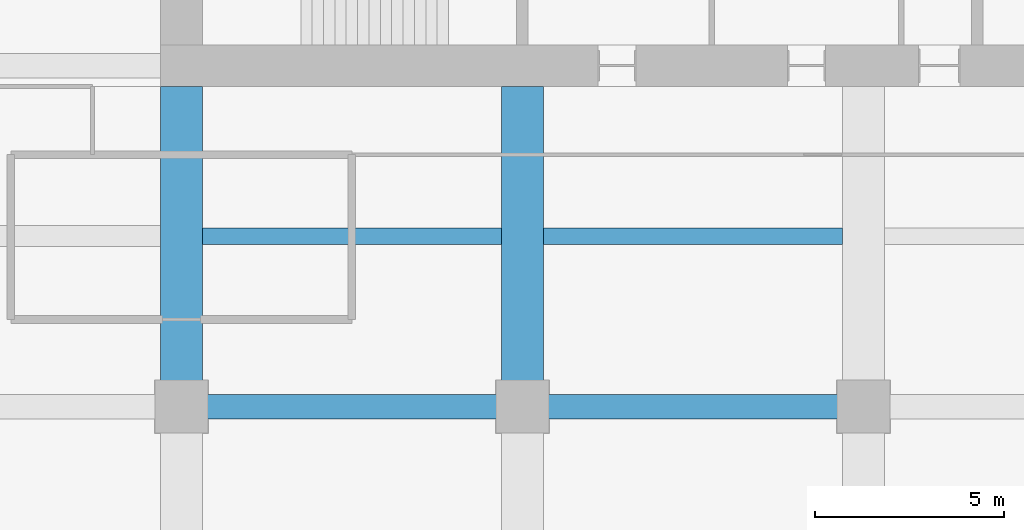
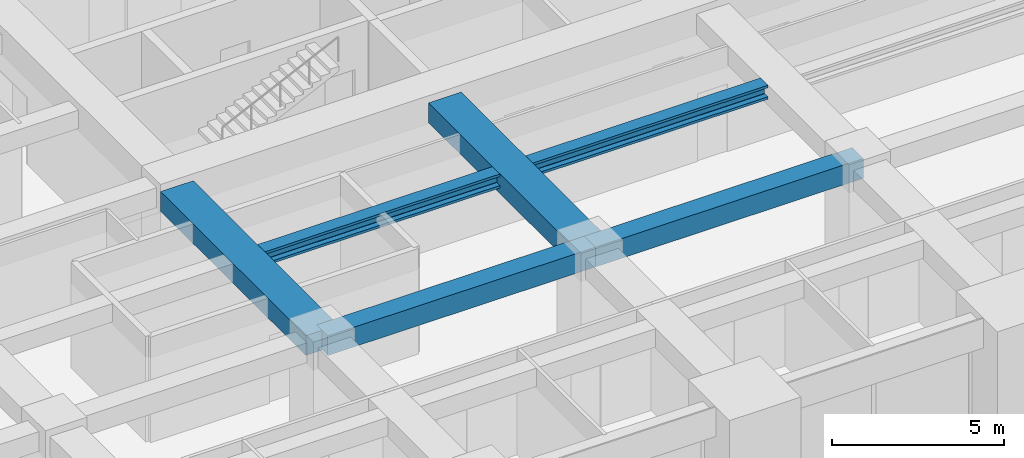
# One storey, part 8 of 33: 6 beams.
"""IFC4 building model written with IfcOpenShell, lengths in metres."""

from ifc_helpers import new_model, si_unit, direction, frame, origin, origin_2d, place, context, subcontext, project, spatial, rectangle, i_section, extrude, material, material_profile, profile_set, type_object, element, save


model = new_model("IFC4")

# Units and contexts
model_context = context("Model", 3, precision=1e-05, world=origin(), true_north=direction((0.0, 1.0)))
body_context = subcontext(model_context, "Body", "Model", "MODEL_VIEW")
ifc_project = project(units=[si_unit("LENGTHUNIT", "METRE"), si_unit("AREAUNIT", "SQUARE_METRE"), si_unit("VOLUMEUNIT", "CUBIC_METRE"), si_unit("PLANEANGLEUNIT", "RADIAN"), si_unit("MASSUNIT", "GRAM", prefix="KILO")], contexts=[model_context])

# Site, building, storey
site_placement = place(None, origin())
site = spatial("IfcSite", under=ifc_project, at=site_placement, CompositionType="ELEMENT")
building_placement = place(site_placement, origin())
building = spatial("IfcBuilding", under=site, at=building_placement, Name="Zorevar Civic Tower", CompositionType="ELEMENT")
storey_placement = place(building_placement, frame((0.0, 0.0, 206.199951171875)))
storey = spatial("IfcBuildingStorey", under=building, at=storey_placement, Name="L50", CompositionType="ELEMENT", Elevation=206.199951171875)

# Beams
ifc_material_1 = material(Name="Concrete C50/60", Category="concrete")
ifc_material_profile_1 = material_profile(ifc_material_1, rectangle(XDim=1.10009765625, YDim=0.699951171875, at=origin_2d()), Name="RC 1100x700")
ifc_profile_set_1 = profile_set([ifc_material_profile_1], Name="Concrete C50/60")
beam_type_1 = type_object("IfcBeamType", Name="Beam RC 1100x700", PredefinedType="BEAM", material=ifc_profile_set_1)
for number, where, z_axis, x_axis, name in (
    (1, (18.0, 9.0, 3.400146484375), (0.0, 1.0, 0.0), (-1.0, 0.0, 0.0), "Girder L51"),
    (2, (27.0, 9.0, 3.400146484375), (0.0, 1.0, 0.0), (-1.0, 0.0, 0.0), "Girder L51"),
):
    element("IfcBeam", number, at=place(storey_placement, frame(where, z_axis=z_axis, x_axis=x_axis)), inside=storey, type_object=beam_type_1, Name=name, PredefinedType="BEAM", context=body_context, shape_type="SweptSolid", body=[
        extrude(rectangle(XDim=1.10009765625, YDim=0.699951171875, at=origin_2d()), origin(), (0.0, 0.0, 1.0), 8.449951171875),
    ])
ifc_material_2 = material(Name="Concrete C50/60", Category="concrete")
ifc_material_profile_2 = material_profile(ifc_material_2, rectangle(XDim=0.64990234375, YDim=0.699951171875, at=origin_2d()), Name="RC 650x700")
ifc_profile_set_2 = profile_set([ifc_material_profile_2], Name="Concrete C50/60")
beam_type_2 = type_object("IfcBeamType", Name="Beam RC 650x700", PredefinedType="BEAM", material=ifc_profile_set_2)
for number, where, z_axis, x_axis, name in (
    (3, (18.0, 9.0, 3.400146484375), (1.0, 0.0, 0.0), (0.0, 1.0, 0.0), "Girder L51"),
    (4, (27.0, 9.0, 3.400146484375), (1.0, 0.0, 0.0), (0.0, 1.0, 0.0), "Girder L51"),
):
    element("IfcBeam", number, at=place(storey_placement, frame(where, z_axis=z_axis, x_axis=x_axis)), inside=storey, type_object=beam_type_2, Name=name, PredefinedType="BEAM", context=body_context, shape_type="SweptSolid", body=[
        extrude(rectangle(XDim=0.64990234375, YDim=0.699951171875, at=origin_2d()), origin(), (0.0, 0.0, 1.0), 9.0),
    ])
ifc_material_3 = material(Name="Steel S460M (HISTAR 460)", Category="steel")
ifc_material_profile_3 = material_profile(ifc_material_3, i_section(OverallWidth=0.431884765625, OverallDepth=0.498046875, WebThickness=0.0556640625, FlangeThickness=0.0888671875, FilletRadius=0.014892578125, at=origin_2d()), Name="HD 400x744")
ifc_profile_set_3 = profile_set([ifc_material_profile_3], Name="Steel S460M (HISTAR 460)")
beam_type_3 = type_object("IfcBeamType", Name="Core bay beam HD 400x744", PredefinedType="BEAM", material=ifc_profile_set_3)
for number, where, z_axis, x_axis, name in (
    (5, (18.550048828125, 13.5, 3.5009765625), (1.0, 0.0, 0.0), (0.0, 1.0, 0.0), "Secondary beam L51"),
    (6, (27.550048828125, 13.5, 3.5009765625), (1.0, 0.0, 0.0), (0.0, 1.0, 0.0), "Secondary beam L51"),
):
    element("IfcBeam", number, at=place(storey_placement, frame(where, z_axis=z_axis, x_axis=x_axis)), inside=storey, type_object=beam_type_3, Name=name, PredefinedType="BEAM", context=body_context, shape_type="SweptSolid", body=[
        extrude(i_section(OverallWidth=0.431884765625, OverallDepth=0.498046875, WebThickness=0.0556640625, FlangeThickness=0.0888671875, FilletRadius=0.014892578125, at=origin_2d()), origin(), (0.0, 0.0, 1.0), 7.89990234375),
    ])

save(model, "model.ifc")
